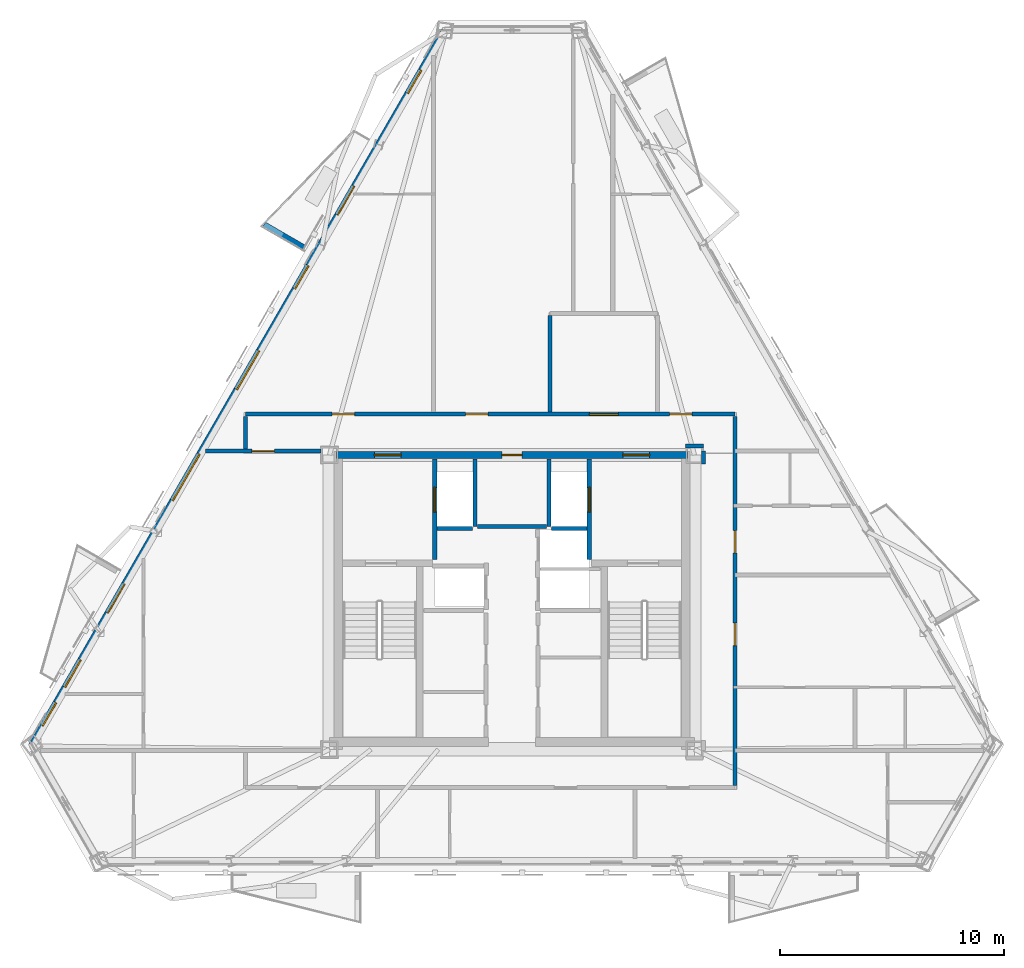
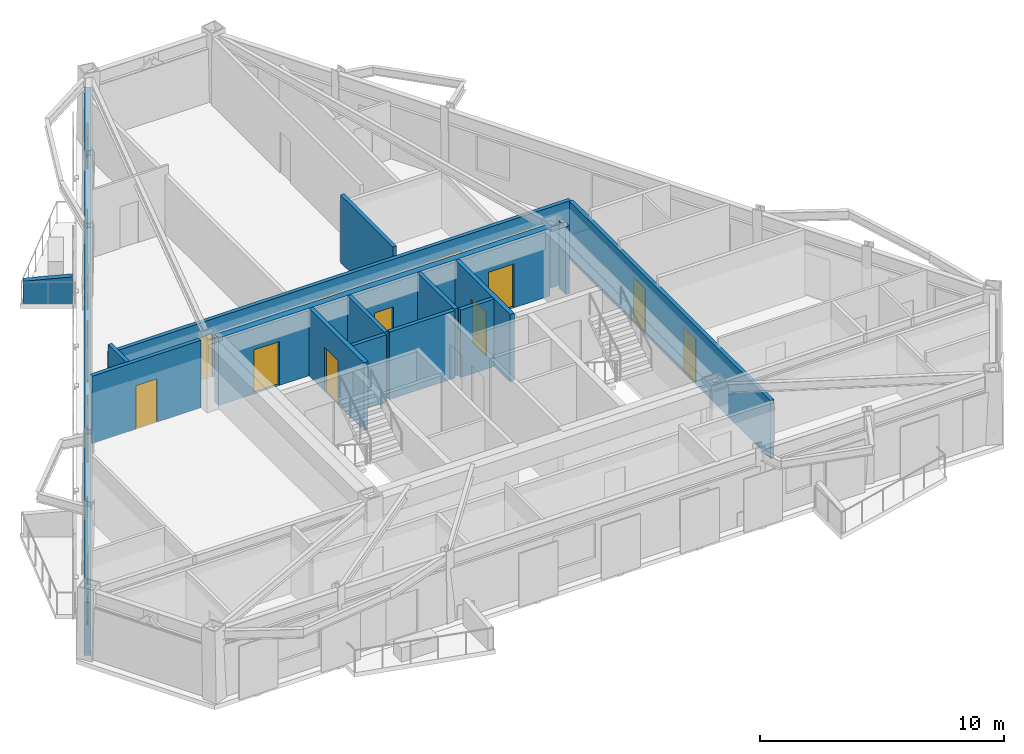
# One storey, part 4 of 9: 17 walls, 14 doors, 6 windows, 20 openings.
"""IFC4 building model written with IfcOpenShell, lengths in metres."""

from ifc_helpers import new_model, si_unit, direction, frame, frame_2d, origin, place, context, subcontext, project, spatial, polyline, rectangle, outline, extrude, material, layer, layer_set, type_object, element, fill, save


model = new_model("IFC4")

# Units and contexts
model_context = context("Model", 3, precision=1e-05, world=origin(), true_north=direction((0.0, 1.0)))
body_context = subcontext(model_context, "Body", "Model", "MODEL_VIEW")
ifc_project = project(units=[si_unit("LENGTHUNIT", "METRE"), si_unit("AREAUNIT", "SQUARE_METRE"), si_unit("VOLUMEUNIT", "CUBIC_METRE"), si_unit("PLANEANGLEUNIT", "RADIAN"), si_unit("MASSUNIT", "GRAM", prefix="KILO")], contexts=[model_context])

# Site, building, storey
site_placement = place(None, origin())
site = spatial("IfcSite", under=ifc_project, at=site_placement, CompositionType="ELEMENT")
building_placement = place(site_placement, origin())
building = spatial("IfcBuilding", under=site, at=building_placement, Name="Oramaril Tower", CompositionType="ELEMENT")
storey_placement = place(building_placement, frame((0.0, 0.0, 234.300048828125)))
storey = spatial("IfcBuildingStorey", under=building, at=storey_placement, Name="L62", CompositionType="ELEMENT", Elevation=234.300048828125)

# Wall, openings, doors, windows
ifc_material_1 = material(Name="Warm Cream Limestone", Category="masonry")
ifc_layer_1 = layer(ifc_material_1, 0.2900390625)
ifc_layer_set_1 = layer_set([ifc_layer_1], Name="WT-EXT29")
wall_type_1 = type_object("IfcWallType", Name="WT-EXT29", PredefinedType="SOLIDWALL", material=ifc_layer_set_1)
wall_1_placement = place(storey_placement, frame((34.482421875, 43.116455078125, 0.0), z_axis=(0.0, 0.0, 1.0), x_axis=(-0.500000614513, -0.866025048995, 0.0)))
wall_1 = element("IfcWall", 1, at=wall_1_placement, inside=storey, type_object=wall_type_1, Name="L62 Tower Limestone Facade Wall 6M", PredefinedType="SOLIDWALL", context=body_context, shape_type="SweptSolid", body=[
    extrude(rectangle(XDim=36.84814453125, YDim=0.2900390625, at=frame_2d((18.424072265625, 0.0))), origin(), (0.0, 0.0, 1.0), 2.677001953125),
])
opening_1_placement = place(wall_1_placement, frame((8.034423828125, 0.0, 0.0)))
opening_1 = element("IfcOpeningElement", 2, at=opening_1_placement, cuts=wall_1, Name="Opening D-L62-BAL-NW1", PredefinedType="OPENING", context=body_context, shape_type="SweptSolid", body=[
    extrude(rectangle(XDim=1.5, YDim=2.199951171875, at=frame_2d((0.75, 1.10009765625))), frame((0.0, 0.14501953125, 0.0), z_axis=(0.0, -1.0, 0.0), x_axis=(1.0, 0.0, 0.0)), (0.0, 0.0, 1.0), 0.2900390625),
])
opening_2_placement = place(wall_1_placement, frame((28.55859375, 0.0, 0.0)))
opening_2 = element("IfcOpeningElement", 3, at=opening_2_placement, cuts=wall_1, Name="Opening D-L62-BAL-NW2", PredefinedType="OPENING", context=body_context, shape_type="SweptSolid", body=[
    extrude(rectangle(XDim=1.5, YDim=2.199951171875, at=frame_2d((0.75, 1.10009765625))), frame((0.0, 0.14501953125, 0.0), z_axis=(0.0, -1.0, 0.0), x_axis=(1.0, 0.0, 0.0)), (0.0, 0.0, 1.0), 0.2900390625),
])
opening_3_placement = place(wall_1_placement, frame((21.86279296875, 0.0, 0.85009765625)))
opening_3 = element("IfcOpeningElement", 4, at=opening_3_placement, cuts=wall_1, Name="Opening WN-03", PredefinedType="OPENING", context=body_context, shape_type="SweptSolid", body=[
    extrude(rectangle(XDim=2.39990234375, YDim=1.717041015625, at=frame_2d((1.199951171875, 0.8583984375))), frame((0.0, 0.14501953125, 0.0), z_axis=(0.0, -1.0, 0.0), x_axis=(1.0, 0.0, 0.0)), (0.0, 0.0, 1.0), 0.2900390625),
])
opening_4_placement = place(wall_1_placement, frame((34.676513671875, 0.0, 0.85009765625)))
opening_4 = element("IfcOpeningElement", 5, at=opening_4_placement, cuts=wall_1, Name="Opening WN-09", PredefinedType="OPENING", context=body_context, shape_type="SweptSolid", body=[
    extrude(rectangle(XDim=1.199951171875, YDim=1.47998046875, at=frame_2d((0.60009765625, 0.739990234375))), frame((0.0, 0.14501953125, 0.0), z_axis=(0.0, -1.0, 0.0), x_axis=(1.0, 0.0, 0.0)), (0.0, 0.0, 1.0), 0.2900390625),
])
opening_5_placement = place(wall_1_placement, frame((32.477294921875, 0.0, 0.85009765625)))
opening_5 = element("IfcOpeningElement", 6, at=opening_5_placement, cuts=wall_1, Name="Opening WN-08", PredefinedType="OPENING", context=body_context, shape_type="SweptSolid", body=[
    extrude(rectangle(XDim=1.39990234375, YDim=1.60009765625, at=frame_2d((0.699951171875, 0.800048828125))), frame((0.0, 0.14501953125, 0.0), z_axis=(0.0, -1.0, 0.0), x_axis=(1.0, 0.0, 0.0)), (0.0, 0.0, 1.0), 0.2900390625),
])
opening_6_placement = place(wall_1_placement, frame((12.139892578125, 0.0, 0.85009765625)))
opening_6 = element("IfcOpeningElement", 7, at=opening_6_placement, cuts=wall_1, Name="Opening WN-09", PredefinedType="OPENING", context=body_context, shape_type="SweptSolid", body=[
    extrude(rectangle(XDim=1.199951171875, YDim=1.47998046875, at=frame_2d((0.60009765625, 0.739990234375))), frame((0.0, 0.14501953125, 0.0), z_axis=(0.0, -1.0, 0.0), x_axis=(1.0, 0.0, 0.0)), (0.0, 0.0, 1.0), 0.2900390625),
])
opening_7_placement = place(wall_1_placement, frame((16.5400390625, 0.0, 0.85009765625)))
opening_7 = element("IfcOpeningElement", 8, at=opening_7_placement, cuts=wall_1, Name="Opening WN-05", PredefinedType="OPENING", context=body_context, shape_type="SweptSolid", body=[
    extrude(rectangle(XDim=2.0, YDim=1.717041015625, at=frame_2d((1.0, 0.8583984375))), frame((0.0, 0.14501953125, 0.0), z_axis=(0.0, -1.0, 0.0), x_axis=(1.0, 0.0, 0.0)), (0.0, 0.0, 1.0), 0.2900390625),
])
opening_8_placement = place(wall_1_placement, frame((2.05859375, 0.0, 0.85009765625)))
opening_8 = element("IfcOpeningElement", 9, at=opening_8_placement, cuts=wall_1, Name="Opening WN-09", PredefinedType="OPENING", context=body_context, shape_type="SweptSolid", body=[
    extrude(rectangle(XDim=1.199951171875, YDim=1.47998046875, at=frame_2d((0.60009765625, 0.739990234375))), frame((0.0, 0.14501953125, 0.0), z_axis=(0.0, -1.0, 0.0), x_axis=(1.0, 0.0, 0.0)), (0.0, 0.0, 1.0), 0.2900390625),
])
ifc_material_2 = material(Name="Anodised Aluminium 6063-T6", Category="aluminium")
door_type_1 = type_object("IfcDoorType", Name="DT-BAL", OperationType="NOTDEFINED", PredefinedType="DOOR", material=ifc_material_2)
door_1_placement = place(opening_1_placement, origin())
door_1 = element("IfcDoor", 10, at=door_1_placement, inside=storey, type_object=door_type_1, Name="L62 Balcony Glazed Door L62-BAL-NW1", OperationType="SINGLE_SWING_LEFT", OverallHeight=2.199951171875, OverallWidth=1.5, PredefinedType="DOOR", context=body_context, shape_type="SweptSolid", body=[
    extrude(rectangle(XDim=1.5, YDim=2.199951171875, at=frame_2d((0.75, 1.10009765625))), frame((0.0, 0.02490234375, 0.0), z_axis=(0.0, -1.0, 0.0), x_axis=(1.0, 0.0, 0.0)), (0.0, 0.0, 1.0), 0.050048828125),
])
fill(opening_1, door_1)
door_2_placement = place(opening_2_placement, origin())
door_2 = element("IfcDoor", 11, at=door_2_placement, inside=storey, type_object=door_type_1, Name="L62 Balcony Glazed Door L62-BAL-NW2", OperationType="SINGLE_SWING_RIGHT", OverallHeight=2.199951171875, OverallWidth=1.5, PredefinedType="DOOR", context=body_context, shape_type="SweptSolid", body=[
    extrude(rectangle(XDim=1.5, YDim=2.199951171875, at=frame_2d((0.75, 1.10009765625))), frame((0.0, 0.02490234375, 0.0), z_axis=(0.0, -1.0, 0.0), x_axis=(1.0, 0.0, 0.0)), (0.0, 0.0, 1.0), 0.050048828125),
])
fill(opening_2, door_2)
ifc_material_3 = material(Name="Coastal Low-E Insulated Glass", Category="glass")
window_type_1 = type_object("IfcWindowType", Name="WNT-03", PartitioningType="SINGLE_PANEL", PredefinedType="WINDOW", material=ifc_material_3)
window_1_placement = place(opening_3_placement, origin())
window_1 = element("IfcWindow", 12, at=window_1_placement, inside=storey, type_object=window_type_1, Name="L62 Chicago Bay Window WN-03", OverallHeight=1.717041015625, OverallWidth=2.39990234375, PartitioningType="SINGLE_PANEL", PredefinedType="WINDOW", context=body_context, shape_type="SweptSolid", body=[
    extrude(rectangle(XDim=2.39990234375, YDim=1.717041015625, at=frame_2d((1.199951171875, 0.8583984375))), frame((0.0, 0.030029296875, 0.0), z_axis=(0.0, -1.0, 0.0), x_axis=(1.0, 0.0, 0.0)), (0.0, 0.0, 1.0), 0.06005859375),
])
fill(opening_3, window_1)
ifc_material_4 = material(Name="Coastal Low-E Insulated Glass", Category="glass")
window_type_2 = type_object("IfcWindowType", Name="WNT-05", PartitioningType="SINGLE_PANEL", PredefinedType="WINDOW", material=ifc_material_4)
window_2_placement = place(opening_7_placement, origin())
window_2 = element("IfcWindow", 13, at=window_2_placement, inside=storey, type_object=window_type_2, Name="L62 Chicago Bay Window WN-05", OverallHeight=1.717041015625, OverallWidth=2.0, PartitioningType="SINGLE_PANEL", PredefinedType="WINDOW", context=body_context, shape_type="SweptSolid", body=[
    extrude(rectangle(XDim=2.0, YDim=1.717041015625, at=frame_2d((1.0, 0.8583984375))), frame((0.0, 0.030029296875, 0.0), z_axis=(0.0, -1.0, 0.0), x_axis=(1.0, 0.0, 0.0)), (0.0, 0.0, 1.0), 0.06005859375),
])
fill(opening_7, window_2)
ifc_material_5 = material(Name="Coastal Low-E Insulated Glass", Category="glass")
window_type_3 = type_object("IfcWindowType", Name="WNT-08", PartitioningType="SINGLE_PANEL", PredefinedType="WINDOW", material=ifc_material_5)
window_3_placement = place(opening_5_placement, origin())
window_3 = element("IfcWindow", 14, at=window_3_placement, inside=storey, type_object=window_type_3, Name="L62 Chicago Bay Window WN-08", OverallHeight=1.60009765625, OverallWidth=1.39990234375, PartitioningType="SINGLE_PANEL", PredefinedType="WINDOW", context=body_context, shape_type="SweptSolid", body=[
    extrude(rectangle(XDim=1.39990234375, YDim=1.60009765625, at=frame_2d((0.699951171875, 0.800048828125))), frame((0.0, 0.030029296875, 0.0), z_axis=(0.0, -1.0, 0.0), x_axis=(1.0, 0.0, 0.0)), (0.0, 0.0, 1.0), 0.06005859375),
])
fill(opening_5, window_3)
ifc_material_6 = material(Name="Coastal Low-E Insulated Glass", Category="glass")
window_type_4 = type_object("IfcWindowType", Name="WNT-09", PartitioningType="SINGLE_PANEL", PredefinedType="WINDOW", material=ifc_material_6)
window_4_placement = place(opening_4_placement, origin())
window_4 = element("IfcWindow", 15, at=window_4_placement, inside=storey, type_object=window_type_4, Name="L62 Chicago Bay Window WN-09", OverallHeight=1.47998046875, OverallWidth=1.199951171875, PartitioningType="SINGLE_PANEL", PredefinedType="WINDOW", context=body_context, shape_type="SweptSolid", body=[
    extrude(rectangle(XDim=1.199951171875, YDim=1.47998046875, at=frame_2d((0.60009765625, 0.739990234375))), frame((0.0, 0.030029296875, 0.0), z_axis=(0.0, -1.0, 0.0), x_axis=(1.0, 0.0, 0.0)), (0.0, 0.0, 1.0), 0.06005859375),
])
fill(opening_4, window_4)
window_5_placement = place(opening_6_placement, origin())
window_5 = element("IfcWindow", 16, at=window_5_placement, inside=storey, type_object=window_type_4, Name="L62 Chicago Bay Window WN-09", OverallHeight=1.47998046875, OverallWidth=1.199951171875, PartitioningType="SINGLE_PANEL", PredefinedType="WINDOW", context=body_context, shape_type="SweptSolid", body=[
    extrude(rectangle(XDim=1.199951171875, YDim=1.47998046875, at=frame_2d((0.60009765625, 0.739990234375))), frame((0.0, 0.030029296875, 0.0), z_axis=(0.0, -1.0, 0.0), x_axis=(1.0, 0.0, 0.0)), (0.0, 0.0, 1.0), 0.06005859375),
])
fill(opening_6, window_5)
window_6_placement = place(opening_8_placement, origin())
window_6 = element("IfcWindow", 17, at=window_6_placement, inside=storey, type_object=window_type_4, Name="L62 Chicago Bay Window WN-09", OverallHeight=1.47998046875, OverallWidth=1.199951171875, PartitioningType="SINGLE_PANEL", PredefinedType="WINDOW", context=body_context, shape_type="SweptSolid", body=[
    extrude(rectangle(XDim=1.199951171875, YDim=1.47998046875, at=frame_2d((0.60009765625, 0.739990234375))), frame((0.0, 0.030029296875, 0.0), z_axis=(0.0, -1.0, 0.0), x_axis=(1.0, 0.0, 0.0)), (0.0, 0.0, 1.0), 0.06005859375),
])
fill(opening_8, window_6)

# Walls
ifc_material_7 = material(Name="Concrete C40/50", Category="concrete")
ifc_layer_2 = layer(ifc_material_7, 0.22998046875)
ifc_layer_set_2 = layer_set([ifc_layer_2], Name="WT-PRP23")
wall_type_2 = type_object("IfcWallType", Name="WT-PRP23", PredefinedType="PARAPET", material=ifc_layer_set_2)
wall_2_placement = place(storey_placement, frame((28.19970703125, 33.4306640625, 0.0), z_axis=(0.0, 0.0, 1.0), x_axis=(-0.866012356593, 0.500022597718, 0.0)))
element("IfcWall", 18, at=wall_2_placement, inside=storey, type_object=wall_type_2, Name="L62 Trapezoidal Balcony Frame Cheek L62-BAL-NW1-R", PredefinedType="PARAPET", context=body_context, shape_type="SweptSolid", body=[
    extrude(outline(polyline([(0.0, 0.0), (2.0419921875, 0.0), (2.0419921875, 1.099853515625), (0.0, 1.320068359375), (0.0, 0.0)])), frame((0.0, 0.114990234375, 0.0), z_axis=(0.0, -1.0, 0.0), x_axis=(1.0, 0.0, 0.0)), (0.0, 0.0, 1.0), 0.22998046875),
])
ifc_material_8 = material(Name="Autoclaved Cellular Concrete Block", Category="concrete")
ifc_layer_3 = layer(ifc_material_8, 0.179931640625)
ifc_layer_set_3 = layer_set([ifc_layer_3], Name="WT-PT18")
wall_type_3 = type_object("IfcWallType", Name="WT-PT18", PredefinedType="PARTITIONING", material=ifc_layer_set_3)
wall_3_placement = place(storey_placement, frame((35.840087890625, 20.9599609375, 0.0), z_axis=(0.0, 0.0, 1.0), x_axis=(0.0, 1.0, 0.0)))
element("IfcWall", 19, at=wall_3_placement, inside=storey, type_object=wall_type_3, Name="L62 FL-1 East Shaft Wall", PredefinedType="PARTITIONING", context=body_context, shape_type="SweptSolid", body=[
    extrude(rectangle(XDim=3.02001953125, YDim=0.179931640625, at=frame_2d((1.510009765625, 0.0))), origin(), (0.0, 0.0, 1.0), 3.3798828125),
])
wall_4_placement = place(storey_placement, frame((34.159912109375, 20.860107421875, 0.0), z_axis=(0.0, 0.0, 1.0), x_axis=(1.0, 0.0, 0.0)))
element("IfcWall", 20, at=wall_4_placement, inside=storey, type_object=wall_type_3, Name="L62 FL-1 South Shaft Wall", PredefinedType="PARTITIONING", context=body_context, shape_type="SweptSolid", body=[
    extrude(rectangle(XDim=1.580078125, YDim=0.179931640625, at=frame_2d((0.7900390625, 0.0))), origin(), (0.0, 0.0, 1.0), 3.3798828125),
])
wall_5_placement = place(storey_placement, frame((39.159912109375, 20.9599609375, 0.0), z_axis=(0.0, 0.0, 1.0), x_axis=(0.0, 1.0, 0.0)))
element("IfcWall", 21, at=wall_5_placement, inside=storey, type_object=wall_type_3, Name="L62 FL-2 West Shaft Wall", PredefinedType="PARTITIONING", context=body_context, shape_type="SweptSolid", body=[
    extrude(rectangle(XDim=3.02001953125, YDim=0.179931640625, at=frame_2d((1.510009765625, 0.0))), origin(), (0.0, 0.0, 1.0), 3.3798828125),
])
wall_6_placement = place(storey_placement, frame((39.260009765625, 20.860107421875, 0.0), z_axis=(0.0, 0.0, 1.0), x_axis=(1.0, 0.0, 0.0)))
element("IfcWall", 22, at=wall_6_placement, inside=storey, type_object=wall_type_3, Name="L62 FL-2 South Shaft Wall", PredefinedType="PARTITIONING", context=body_context, shape_type="SweptSolid", body=[
    extrude(rectangle(XDim=1.580078125, YDim=0.179931640625, at=frame_2d((0.7900390625, 0.0))), origin(), (0.0, 0.0, 1.0), 3.3798828125),
])
wall_7_placement = place(storey_placement, frame((35.949951171875, 20.949951171875, 0.0), z_axis=(0.0, 0.0, 1.0), x_axis=(1.0, 0.0, 0.0)))
element("IfcWall", 23, at=wall_7_placement, inside=storey, type_object=wall_type_3, Name="L62 Lift Lobby North Partition", PredefinedType="PARTITIONING", context=body_context, shape_type="SweptSolid", body=[
    extrude(rectangle(XDim=3.10009765625, YDim=0.179931640625, at=frame_2d((1.550048828125, 0.0))), origin(), (0.0, 0.0, 1.0), 3.3798828125),
])

# Wall, opening, door
wall_8_placement = place(storey_placement, frame((23.80224609375, 24.320068359375, 0.0), z_axis=(0.0, 0.0, 1.0), x_axis=(1.0, 0.0, 0.0)))
wall_8 = element("IfcWall", 24, at=wall_8_placement, inside=storey, type_object=wall_type_3, Name="L62 Interior Partition PT-18", PredefinedType="PARTITIONING", context=body_context, shape_type="SweptSolid", body=[
    extrude(rectangle(XDim=5.15771484375, YDim=0.179931640625, at=frame_2d((2.578857421875, 0.0))), origin(), (0.0, 0.0, 1.0), 3.3798828125),
])
opening_9_placement = place(wall_8_placement, frame((2.0859375, 0.0, 0.0)))
opening_9 = element("IfcOpeningElement", 25, at=opening_9_placement, cuts=wall_8, Name="Opening D-L62-09", PredefinedType="OPENING", context=body_context, shape_type="SweptSolid", body=[
    extrude(rectangle(XDim=1.0, YDim=2.179931640625, at=frame_2d((0.5, 1.08984375))), frame((0.0, 0.08984375, 0.0), z_axis=(0.0, -1.0, 0.0), x_axis=(1.0, 0.0, 0.0)), (0.0, 0.0, 1.0), 0.179931640625),
])
ifc_material_9 = material(Name="FSC Brazilian Freijo Hardwood", Category="wood")
door_type_2 = type_object("IfcDoorType", Name="DT-APT", OperationType="NOTDEFINED", PredefinedType="DOOR", material=ifc_material_9)
door_3_placement = place(opening_9_placement, origin())
door_3 = element("IfcDoor", 26, at=door_3_placement, inside=storey, type_object=door_type_2, Name="L62 Flat L62-U4 Studio Apartment Door D-L62-09", OperationType="SINGLE_SWING_LEFT", OverallHeight=2.179931640625, OverallWidth=1.0, PredefinedType="DOOR", context=body_context, shape_type="SweptSolid", body=[
    extrude(rectangle(XDim=1.0, YDim=2.179931640625, at=frame_2d((0.5, 1.08984375))), frame((0.0, 0.02490234375, 0.0), z_axis=(0.0, -1.0, 0.0), x_axis=(1.0, 0.0, 0.0)), (0.0, 0.0, 1.0), 0.050048828125),
])
fill(opening_9, door_3)

# Wall
wall_9_placement = place(storey_placement, frame((45.2548828125, 24.550048828125, 0.0), z_axis=(0.0, 0.0, 1.0), x_axis=(1.0, 0.0, 0.0)))
element("IfcWall", 27, at=wall_9_placement, inside=storey, type_object=wall_type_3, Name="L62 Interior Partition PT-18", PredefinedType="PARTITIONING", context=body_context, shape_type="SweptSolid", body=[
    extrude(rectangle(XDim=0.7900390625, YDim=0.179931640625, at=frame_2d((0.39501953125, 0.0))), origin(), (0.0, 0.0, 1.0), 2.912841796875),
])

# Wall, openings, doors
wall_10_placement = place(storey_placement, frame((25.60009765625, 25.969970703125, 0.0), z_axis=(0.0, 0.0, 1.0), x_axis=(1.0, 0.0, 0.0)))
wall_10 = element("IfcWall", 28, at=wall_10_placement, inside=storey, type_object=wall_type_3, Name="L62 Interior Partition PT-18", PredefinedType="PARTITIONING", context=body_context, shape_type="SweptSolid", body=[
    extrude(rectangle(XDim=21.849853515625, YDim=0.179931640625, at=frame_2d((10.9248046875, 0.0))), origin(), (0.0, 0.0, 1.0), 2.912841796875),
])
opening_10_placement = place(wall_10_placement, frame((3.8701171875, 0.0, 0.0)))
opening_10 = element("IfcOpeningElement", 29, at=opening_10_placement, cuts=wall_10, Name="Opening D-L62-10", PredefinedType="OPENING", context=body_context, shape_type="SweptSolid", body=[
    extrude(rectangle(XDim=1.0, YDim=2.179931640625, at=frame_2d((0.5, 1.08984375))), frame((0.0, 0.08984375, 0.0), z_axis=(0.0, -1.0, 0.0), x_axis=(1.0, 0.0, 0.0)), (0.0, 0.0, 1.0), 0.179931640625),
])
opening_11_placement = place(wall_10_placement, frame((9.832763671875, 0.0, 0.0)))
opening_11 = element("IfcOpeningElement", 30, at=opening_11_placement, cuts=wall_10, Name="Opening D-L62-11", PredefinedType="OPENING", context=body_context, shape_type="SweptSolid", body=[
    extrude(rectangle(XDim=1.0, YDim=2.179931640625, at=frame_2d((0.5, 1.08984375))), frame((0.0, 0.08984375, 0.0), z_axis=(0.0, -1.0, 0.0), x_axis=(1.0, 0.0, 0.0)), (0.0, 0.0, 1.0), 0.179931640625),
])
opening_12_placement = place(wall_10_placement, frame((15.35009765625, 0.0, 0.0)))
opening_12 = element("IfcOpeningElement", 31, at=opening_12_placement, cuts=wall_10, Name="Opening D-L62-12", PredefinedType="OPENING", context=body_context, shape_type="SweptSolid", body=[
    extrude(rectangle(XDim=1.300048828125, YDim=2.199951171875, at=frame_2d((0.64990234375, 1.10009765625))), frame((0.0, 0.08984375, 0.0), z_axis=(0.0, -1.0, 0.0), x_axis=(1.0, 0.0, 0.0)), (0.0, 0.0, 1.0), 0.179931640625),
])
opening_13_placement = place(wall_10_placement, frame((18.9404296875, 0.0, 0.0)))
opening_13 = element("IfcOpeningElement", 32, at=opening_13_placement, cuts=wall_10, Name="Opening D-L62-13", PredefinedType="OPENING", context=body_context, shape_type="SweptSolid", body=[
    extrude(rectangle(XDim=1.0, YDim=2.179931640625, at=frame_2d((0.5, 1.08984375))), frame((0.0, 0.08984375, 0.0), z_axis=(0.0, -1.0, 0.0), x_axis=(1.0, 0.0, 0.0)), (0.0, 0.0, 1.0), 0.179931640625),
])
door_4_placement = place(opening_10_placement, origin())
door_4 = element("IfcDoor", 33, at=door_4_placement, inside=storey, type_object=door_type_2, Name="L62 Flat L62-U7 Kitchen and Studio Apartment Door D-L62-10", OperationType="SINGLE_SWING_RIGHT", OverallHeight=2.179931640625, OverallWidth=1.0, PredefinedType="DOOR", context=body_context, shape_type="SweptSolid", body=[
    extrude(rectangle(XDim=1.0, YDim=2.179931640625, at=frame_2d((0.5, 1.08984375))), frame((0.0, 0.02490234375, 0.0), z_axis=(0.0, -1.0, 0.0), x_axis=(1.0, 0.0, 0.0)), (0.0, 0.0, 1.0), 0.050048828125),
])
fill(opening_10, door_4)
door_5_placement = place(opening_11_placement, origin())
door_5 = element("IfcDoor", 34, at=door_5_placement, inside=storey, type_object=door_type_2, Name="L62 Flat L62-U8 Kitchen and Studio Apartment Door D-L62-11", OperationType="SINGLE_SWING_LEFT", OverallHeight=2.179931640625, OverallWidth=1.0, PredefinedType="DOOR", context=body_context, shape_type="SweptSolid", body=[
    extrude(rectangle(XDim=1.0, YDim=2.179931640625, at=frame_2d((0.5, 1.08984375))), frame((0.0, 0.02490234375, 0.0), z_axis=(0.0, -1.0, 0.0), x_axis=(1.0, 0.0, 0.0)), (0.0, 0.0, 1.0), 0.050048828125),
])
fill(opening_11, door_5)
door_6_placement = place(opening_13_placement, origin())
door_6 = element("IfcDoor", 35, at=door_6_placement, inside=storey, type_object=door_type_2, Name="L62 Flat L62-U9 Kitchen and Studio Apartment Door D-L62-13", OperationType="SINGLE_SWING_LEFT", OverallHeight=2.179931640625, OverallWidth=1.0, PredefinedType="DOOR", context=body_context, shape_type="SweptSolid", body=[
    extrude(rectangle(XDim=1.0, YDim=2.179931640625, at=frame_2d((0.5, 1.08984375))), frame((0.0, 0.02490234375, 0.0), z_axis=(0.0, -1.0, 0.0), x_axis=(1.0, 0.0, 0.0)), (0.0, 0.0, 1.0), 0.050048828125),
])
fill(opening_13, door_6)
ifc_material_10 = material(Name="FSC Brazilian Freijo Hardwood", Category="wood")
door_type_3 = type_object("IfcDoorType", Name="DT-COM", OperationType="NOTDEFINED", PredefinedType="DOOR", material=ifc_material_10)
door_7_placement = place(opening_12_placement, origin())
door_7 = element("IfcDoor", 36, at=door_7_placement, inside=storey, type_object=door_type_3, Name="L62 L62 Floor Co-Working Office Suite Door D-L62-12", OperationType="SINGLE_SWING_RIGHT", OverallHeight=2.199951171875, OverallWidth=1.300048828125, PredefinedType="DOOR", context=body_context, shape_type="SweptSolid", body=[
    extrude(rectangle(XDim=1.300048828125, YDim=2.199951171875, at=frame_2d((0.64990234375, 1.10009765625))), frame((0.0, 0.02490234375, 0.0), z_axis=(0.0, -1.0, 0.0), x_axis=(1.0, 0.0, 0.0)), (0.0, 0.0, 1.0), 0.050048828125),
])
fill(opening_12, door_7)

# Walls
wall_11_placement = place(storey_placement, frame((25.60009765625, 24.4140625, 0.0), z_axis=(0.0, 0.0, 1.0), x_axis=(0.0, 1.0, 0.0)))
element("IfcWall", 37, at=wall_11_placement, inside=storey, type_object=wall_type_3, Name="L62 Interior Partition PT-18", PredefinedType="PARTITIONING", context=body_context, shape_type="SweptSolid", body=[
    extrude(rectangle(XDim=1.4619140625, YDim=0.179931640625, at=frame_2d((0.73095703125, 0.0))), origin(), (0.0, 0.0, 1.0), 3.3798828125),
])
wall_12_placement = place(storey_placement, frame((39.199951171875, 26.06396484375, 0.0), z_axis=(0.0, 0.0, 1.0), x_axis=(0.0, 1.0, 0.0)))
element("IfcWall", 38, at=wall_12_placement, inside=storey, type_object=wall_type_3, Name="L62 Interior Partition PT-18", PredefinedType="PARTITIONING", context=body_context, shape_type="SweptSolid", body=[
    extrude(rectangle(XDim=4.31201171875, YDim=0.179931640625, at=frame_2d((2.156005859375, 0.0))), origin(), (0.0, 0.0, 1.0), 3.3798828125),
])
wall_13_placement = place(storey_placement, frame((46.050048828125, 23.7548828125, 0.0), z_axis=(0.0, 0.0, 1.0), x_axis=(0.0, 1.0, 0.0)))
element("IfcWall", 39, at=wall_13_placement, inside=storey, type_object=wall_type_3, Name="L62 Interior Partition PT-18", PredefinedType="PARTITIONING", context=body_context, shape_type="SweptSolid", body=[
    extrude(rectangle(XDim=0.565185546875, YDim=0.179931640625, at=frame_2d((0.28271484375, 0.0))), origin(), (0.0, 0.0, 1.0), 3.3798828125),
])

# Wall, openings, doors
wall_14_placement = place(storey_placement, frame((47.449951171875, 9.39404296875, 0.0), z_axis=(0.0, 0.0, 1.0), x_axis=(0.0, 1.0, 0.0)))
wall_14 = element("IfcWall", 40, at=wall_14_placement, inside=storey, type_object=wall_type_3, Name="L62 Interior Partition PT-18", PredefinedType="PARTITIONING", context=body_context, shape_type="SweptSolid", body=[
    extrude(rectangle(XDim=16.48193359375, YDim=0.179931640625, at=frame_2d((8.240966796875, 0.0))), origin(), (0.0, 0.0, 1.0), 2.912841796875),
])
opening_14_placement = place(wall_14_placement, frame((6.246826171875, 0.0, 0.0)))
opening_14 = element("IfcOpeningElement", 41, at=opening_14_placement, cuts=wall_14, Name="Opening D-L62-21", PredefinedType="OPENING", context=body_context, shape_type="SweptSolid", body=[
    extrude(rectangle(XDim=1.0, YDim=2.179931640625, at=frame_2d((0.5, 1.08984375))), frame((0.0, 0.08984375, 0.0), z_axis=(0.0, -1.0, 0.0), x_axis=(1.0, 0.0, 0.0)), (0.0, 0.0, 1.0), 0.179931640625),
])
opening_15_placement = place(wall_14_placement, frame((10.378662109375, 0.0, 0.0)))
opening_15 = element("IfcOpeningElement", 42, at=opening_15_placement, cuts=wall_14, Name="Opening D-L62-22", PredefinedType="OPENING", context=body_context, shape_type="SweptSolid", body=[
    extrude(rectangle(XDim=1.0, YDim=2.179931640625, at=frame_2d((0.5, 1.08984375))), frame((0.0, 0.08984375, 0.0), z_axis=(0.0, -1.0, 0.0), x_axis=(1.0, 0.0, 0.0)), (0.0, 0.0, 1.0), 0.179931640625),
])
door_8_placement = place(opening_14_placement, origin())
door_8 = element("IfcDoor", 43, at=door_8_placement, inside=storey, type_object=door_type_2, Name="L62 Flat L62-U5 Living and Dining Room Door D-L62-21", OperationType="SINGLE_SWING_LEFT", OverallHeight=2.179931640625, OverallWidth=1.0, PredefinedType="DOOR", context=body_context, shape_type="SweptSolid", body=[
    extrude(rectangle(XDim=1.0, YDim=2.179931640625, at=frame_2d((0.5, 1.08984375))), frame((0.0, 0.02490234375, 0.0), z_axis=(0.0, -1.0, 0.0), x_axis=(1.0, 0.0, 0.0)), (0.0, 0.0, 1.0), 0.050048828125),
])
fill(opening_14, door_8)
door_9_placement = place(opening_15_placement, origin())
door_9 = element("IfcDoor", 44, at=door_9_placement, inside=storey, type_object=door_type_2, Name="L62 Flat L62-U6 Studio Apartment Door D-L62-22", OperationType="SINGLE_SWING_RIGHT", OverallHeight=2.179931640625, OverallWidth=1.0, PredefinedType="DOOR", context=body_context, shape_type="SweptSolid", body=[
    extrude(rectangle(XDim=1.0, YDim=2.179931640625, at=frame_2d((0.5, 1.08984375))), frame((0.0, 0.02490234375, 0.0), z_axis=(0.0, -1.0, 0.0), x_axis=(1.0, 0.0, 0.0)), (0.0, 0.0, 1.0), 0.050048828125),
])
fill(opening_15, door_9)

ifc_material_11 = material(Name="Concrete C50/60", Category="concrete")
ifc_layer_4 = layer(ifc_material_11, 0.300048828125)
ifc_layer_set_4 = layer_set([ifc_layer_4], Name="WT-SH30")
wall_type_4 = type_object("IfcWallType", Name="WT-SH30", PredefinedType="SHEAR", material=ifc_layer_set_4)
wall_15_placement = place(storey_placement, frame((29.64990234375, 24.14990234375, 0.0), z_axis=(0.0, 0.0, 1.0), x_axis=(1.0, 0.0, 0.0)))
wall_15 = element("IfcWall", 45, at=wall_15_placement, inside=storey, type_object=wall_type_4, Name="L62 Core Shear Wall CW-N", PredefinedType="SHEAR", context=body_context, shape_type="SweptSolid", body=[
    extrude(rectangle(XDim=15.7001953125, YDim=0.300048828125, at=frame_2d((7.85009765625, 0.0))), origin(), (0.0, 0.0, 1.0), 3.3798828125),
])
opening_16_placement = place(wall_15_placement, frame((1.699951171875, 0.0, 0.0)))
opening_16 = element("IfcOpeningElement", 46, at=opening_16_placement, cuts=wall_15, Name="Opening D-L62-FFL1", PredefinedType="OPENING", context=body_context, shape_type="SweptSolid", body=[
    extrude(rectangle(XDim=1.199951171875, YDim=2.199951171875, at=frame_2d((0.60009765625, 1.10009765625))), frame((0.0, 0.14990234375, 0.0), z_axis=(0.0, -1.0, 0.0), x_axis=(1.0, 0.0, 0.0)), (0.0, 0.0, 1.0), 0.300048828125),
])
opening_17_placement = place(wall_15_placement, frame((12.800048828125, 0.0, 0.0)))
opening_17 = element("IfcOpeningElement", 47, at=opening_17_placement, cuts=wall_15, Name="Opening D-L62-FFL2", PredefinedType="OPENING", context=body_context, shape_type="SweptSolid", body=[
    extrude(rectangle(XDim=1.199951171875, YDim=2.199951171875, at=frame_2d((0.60009765625, 1.10009765625))), frame((0.0, 0.14990234375, 0.0), z_axis=(0.0, -1.0, 0.0), x_axis=(1.0, 0.0, 0.0)), (0.0, 0.0, 1.0), 0.300048828125),
])
opening_18_placement = place(wall_15_placement, frame((7.39990234375, 0.0, 0.0)))
opening_18 = element("IfcOpeningElement", 48, at=opening_18_placement, cuts=wall_15, Name="Opening D-L62-SV1", PredefinedType="OPENING", context=body_context, shape_type="SweptSolid", body=[
    extrude(rectangle(XDim=0.89990234375, YDim=2.050048828125, at=frame_2d((0.449951171875, 1.02490234375))), frame((0.0, 0.14990234375, 0.0), z_axis=(0.0, -1.0, 0.0), x_axis=(1.0, 0.0, 0.0)), (0.0, 0.0, 1.0), 0.300048828125),
])
ifc_material_12 = material(Name="Painted Galvanised Steel", Category="steel")
door_type_4 = type_object("IfcDoorType", Name="DT-FFL", OperationType="NOTDEFINED", PredefinedType="DOOR", material=ifc_material_12)
door_10_placement = place(opening_16_placement, origin())
door_10 = element("IfcDoor", 49, at=door_10_placement, inside=storey, type_object=door_type_4, Name="L62 Firefighting Lobby 1 Fire Door", OperationType="SINGLE_SWING_LEFT", OverallHeight=2.199951171875, OverallWidth=1.199951171875, PredefinedType="DOOR", context=body_context, shape_type="SweptSolid", body=[
    extrude(rectangle(XDim=1.199951171875, YDim=2.199951171875, at=frame_2d((0.60009765625, 1.10009765625))), frame((0.0, 0.02490234375, 0.0), z_axis=(0.0, -1.0, 0.0), x_axis=(1.0, 0.0, 0.0)), (0.0, 0.0, 1.0), 0.050048828125),
])
fill(opening_16, door_10)
door_11_placement = place(opening_17_placement, origin())
door_11 = element("IfcDoor", 50, at=door_11_placement, inside=storey, type_object=door_type_4, Name="L62 Firefighting Lobby 2 Fire Door", OperationType="SINGLE_SWING_RIGHT", OverallHeight=2.199951171875, OverallWidth=1.199951171875, PredefinedType="DOOR", context=body_context, shape_type="SweptSolid", body=[
    extrude(rectangle(XDim=1.199951171875, YDim=2.199951171875, at=frame_2d((0.60009765625, 1.10009765625))), frame((0.0, 0.02490234375, 0.0), z_axis=(0.0, -1.0, 0.0), x_axis=(1.0, 0.0, 0.0)), (0.0, 0.0, 1.0), 0.050048828125),
])
fill(opening_17, door_11)
ifc_material_13 = material(Name="Painted Galvanised Steel", Category="steel")
door_type_5 = type_object("IfcDoorType", Name="DT-SVC", OperationType="NOTDEFINED", PredefinedType="DOOR", material=ifc_material_13)
door_12_placement = place(opening_18_placement, origin())
door_12 = element("IfcDoor", 51, at=door_12_placement, inside=storey, type_object=door_type_5, Name="L62 Core Janitor Store Door", OperationType="SINGLE_SWING_LEFT", OverallHeight=2.050048828125, OverallWidth=0.89990234375, PredefinedType="DOOR", context=body_context, shape_type="SweptSolid", body=[
    extrude(rectangle(XDim=0.89990234375, YDim=2.050048828125, at=frame_2d((0.449951171875, 1.02490234375))), frame((0.0, 0.02490234375, 0.0), z_axis=(0.0, -1.0, 0.0), x_axis=(1.0, 0.0, 0.0)), (0.0, 0.0, 1.0), 0.050048828125),
])
fill(opening_18, door_12)

# Wall, opening, door
ifc_material_14 = material(Name="Autoclaved Cellular Concrete Block", Category="concrete")
ifc_layer_5 = layer(ifc_material_14, 0.199951171875)
ifc_layer_set_5 = layer_set([ifc_layer_5], Name="WT-SHF20")
wall_type_5 = type_object("IfcWallType", Name="WT-SHF20", PredefinedType="PARTITIONING", material=ifc_layer_set_5)
wall_16_placement = place(storey_placement, frame((34.0400390625, 19.47998046875, 0.0), z_axis=(0.0, 0.0, 1.0), x_axis=(0.0, 1.0, 0.0)))
wall_16 = element("IfcWall", 52, at=wall_16_placement, inside=storey, type_object=wall_type_5, Name="L62 FL-1 Lobby Shaft Wall", PredefinedType="PARTITIONING", context=body_context, shape_type="SweptSolid", body=[
    extrude(rectangle(XDim=4.5, YDim=0.199951171875, at=frame_2d((2.25, 0.0))), origin(), (0.0, 0.0, 1.0), 3.3798828125),
])
opening_19_placement = place(wall_16_placement, frame((2.1201171875, 0.0, 0.0)))
opening_19 = element("IfcOpeningElement", 53, at=opening_19_placement, cuts=wall_16, Name="Opening LD-L62-FL-1", PredefinedType="OPENING", context=body_context, shape_type="SweptSolid", body=[
    extrude(rectangle(XDim=1.10009765625, YDim=2.199951171875, at=frame_2d((0.550048828125, 1.10009765625))), frame((0.0, 0.10009765625, 0.0), z_axis=(0.0, -1.0, 0.0), x_axis=(1.0, 0.0, 0.0)), (0.0, 0.0, 1.0), 0.199951171875),
])
ifc_material_15 = material(Name="Stainless Steel 316L", Category="steel")
door_type_6 = type_object("IfcDoorType", Name="DT-LD1", OperationType="NOTDEFINED", PredefinedType="DOOR", material=ifc_material_15)
door_13_placement = place(opening_19_placement, origin())
door_13 = element("IfcDoor", 54, at=door_13_placement, inside=storey, type_object=door_type_6, Name="L62 Lift FL-1 Sliding Landing Door", OperationType="SLIDING_TO_LEFT", OverallHeight=2.199951171875, OverallWidth=1.10009765625, PredefinedType="DOOR", context=body_context, shape_type="SweptSolid", body=[
    extrude(rectangle(XDim=1.10009765625, YDim=2.199951171875, at=frame_2d((0.550048828125, 1.10009765625))), frame((0.0, 0.02490234375, 0.0), z_axis=(0.0, -1.0, 0.0), x_axis=(1.0, 0.0, 0.0)), (0.0, 0.0, 1.0), 0.050048828125),
])
fill(opening_19, door_13)

wall_17_placement = place(storey_placement, frame((40.9599609375, 19.47998046875, 0.0), z_axis=(0.0, 0.0, 1.0), x_axis=(0.0, 1.0, 0.0)))
wall_17 = element("IfcWall", 55, at=wall_17_placement, inside=storey, type_object=wall_type_5, Name="L62 FL-2 Lobby Shaft Wall", PredefinedType="PARTITIONING", context=body_context, shape_type="SweptSolid", body=[
    extrude(rectangle(XDim=4.5, YDim=0.199951171875, at=frame_2d((2.25, 0.0))), origin(), (0.0, 0.0, 1.0), 3.3798828125),
])
opening_20_placement = place(wall_17_placement, frame((2.1201171875, 0.0, 0.0)))
opening_20 = element("IfcOpeningElement", 56, at=opening_20_placement, cuts=wall_17, Name="Opening LD-L62-FL-2", PredefinedType="OPENING", context=body_context, shape_type="SweptSolid", body=[
    extrude(rectangle(XDim=1.10009765625, YDim=2.199951171875, at=frame_2d((0.550048828125, 1.10009765625))), frame((0.0, 0.10009765625, 0.0), z_axis=(0.0, -1.0, 0.0), x_axis=(1.0, 0.0, 0.0)), (0.0, 0.0, 1.0), 0.199951171875),
])
door_14_placement = place(opening_20_placement, origin())
door_14 = element("IfcDoor", 57, at=door_14_placement, inside=storey, type_object=door_type_6, Name="L62 Lift FL-2 Sliding Landing Door", OperationType="SLIDING_TO_RIGHT", OverallHeight=2.199951171875, OverallWidth=1.10009765625, PredefinedType="DOOR", context=body_context, shape_type="SweptSolid", body=[
    extrude(rectangle(XDim=1.10009765625, YDim=2.199951171875, at=frame_2d((0.550048828125, 1.10009765625))), frame((0.0, 0.02490234375, 0.0), z_axis=(0.0, -1.0, 0.0), x_axis=(1.0, 0.0, 0.0)), (0.0, 0.0, 1.0), 0.050048828125),
])
fill(opening_20, door_14)

save(model, "model.ifc")
